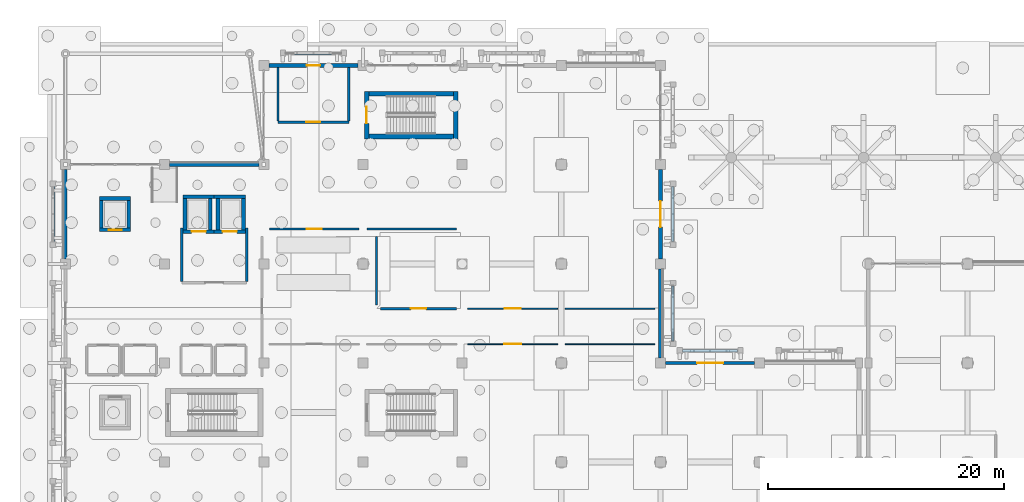
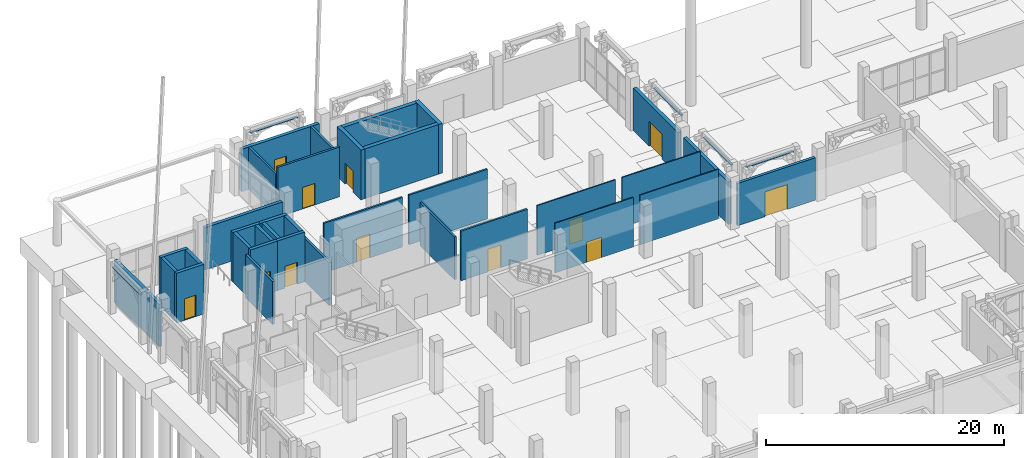
# One storey, part 67 of 98: 40 walls, 12 doors, 12 openings.
"""IFC4 building model written with IfcOpenShell, lengths in metres."""

from ifc_helpers import new_model, si_unit, direction, frame, frame_2d, origin, place, context, subcontext, project, spatial, rectangle, extrude, material, layer, layer_set, type_object, element, fill, save


model = new_model("IFC4")

# Units and contexts
model_context = context("Model", 3, precision=1e-05, world=origin(), true_north=direction((0.0, 1.0)))
body_context = subcontext(model_context, "Body", "Model", "MODEL_VIEW")
ifc_project = project(units=[si_unit("LENGTHUNIT", "METRE"), si_unit("AREAUNIT", "SQUARE_METRE"), si_unit("VOLUMEUNIT", "CUBIC_METRE"), si_unit("PLANEANGLEUNIT", "RADIAN"), si_unit("MASSUNIT", "GRAM", prefix="KILO")], contexts=[model_context])

# Site, building, storey
site_placement = place(None, origin())
site = spatial("IfcSite", under=ifc_project, at=site_placement, CompositionType="ELEMENT")
building_placement = place(site_placement, origin())
building = spatial("IfcBuilding", under=site, at=building_placement, Name="Xazarin Passage Department Store", CompositionType="ELEMENT")
storey_placement = place(building_placement, origin())
storey = spatial("IfcBuildingStorey", under=building, at=storey_placement, Name="L00", CompositionType="ELEMENT", Elevation=0.0)

# Wall, opening, door
ifc_material_1 = material(Name="Buff Baku clay brick", Category="masonry")
ifc_layer_1 = layer(ifc_material_1, 0.169921875)
ifc_layer_set_1 = layer_set([ifc_layer_1], Name="Buff Baku clay brick")
wall_type_1 = type_object("IfcWallType", Name="ARC-W-CMP170", PredefinedType="PARTITIONING", material=ifc_layer_set_1)
wall_1_placement = place(storey_placement, frame((17.27001953125, 96.14990234375, 0.0), z_axis=(0.0, 0.0, 1.0), x_axis=(1.0, 0.0, 0.0)))
wall_1 = element("IfcWall", 1, at=wall_1_placement, inside=storey, type_object=wall_type_1, Name="L00 Accessories Hall Front Wall 0049", PredefinedType="PARTITIONING", context=body_context, shape_type="SweptSolid", body=[
    extrude(rectangle(XDim=7.60986328125, YDim=0.169921875, at=frame_2d((3.804931640625, 0.0))), origin(), (0.0, 0.0, 1.0), 5.10009765625),
])
opening_1_placement = place(wall_1_placement, frame((3.1650390625, 0.0, 0.0)))
opening_1 = element("IfcOpeningElement", 2, at=opening_1_placement, cuts=wall_1, Name="Opening ID30", PredefinedType="OPENING", context=body_context, shape_type="SweptSolid", body=[
    extrude(rectangle(XDim=1.280029296875, YDim=2.4599609375, at=frame_2d((0.64013671875, 1.22998046875))), frame((0.0, 0.094970703125, 0.0), z_axis=(0.0, -1.0, 0.0), x_axis=(1.0, 0.0, 0.0)), (0.0, 0.0, 1.0), 0.18994140625),
])
ifc_material_2 = material(Name="Timber acoustic leaf", Category="wood")
door_type_1 = type_object("IfcDoorType", Name="ARC-DR-ID30", OperationType="NOTDEFINED", PredefinedType="DOOR", material=ifc_material_2)
door_1_placement = place(opening_1_placement, origin())
door_1 = element("IfcDoor", 3, at=door_1_placement, inside=storey, type_object=door_type_1, Name="DR-INT-L00-0049", OperationType="SINGLE_SWING_RIGHT", OverallHeight=2.4599609375, OverallWidth=1.280029296875, PredefinedType="DOOR", context=body_context, shape_type="SweptSolid", body=[
    extrude(rectangle(XDim=1.280029296875, YDim=2.4599609375, at=frame_2d((0.64013671875, 1.22998046875))), frame((0.0, 0.02490234375, 0.0), z_axis=(0.0, -1.0, 0.0), x_axis=(1.0, 0.0, 0.0)), (0.0, 0.0, 1.0), 0.050048828125),
])
fill(opening_1, door_1)

# Wall
wall_2_placement = place(storey_placement, frame((25.52001953125, 96.14990234375, 0.0), z_axis=(0.0, 0.0, 1.0), x_axis=(1.0, 0.0, 0.0)))
element("IfcWall", 4, at=wall_2_placement, inside=storey, type_object=wall_type_1, Name="L00 Accessories Hall Front Wall 0050", PredefinedType="PARTITIONING", context=body_context, shape_type="SweptSolid", body=[
    extrude(rectangle(XDim=7.60986328125, YDim=0.169921875, at=frame_2d((3.804931640625, 0.0))), origin(), (0.0, 0.0, 1.0), 5.10009765625),
])

# Wall, opening, door
ifc_layer_2 = layer(ifc_material_1, 0.18505859375)
ifc_layer_set_2 = layer_set([ifc_layer_2], Name="Buff Baku clay brick")
wall_type_2 = type_object("IfcWallType", Name="ARC-W-CMP185", PredefinedType="PARTITIONING", material=ifc_layer_set_2)
wall_3_placement = place(storey_placement, frame((26.673583984375, 89.39990234375, 0.0), z_axis=(0.0, 0.0, 1.0), x_axis=(1.0, 0.0, 0.0)))
wall_3 = element("IfcWall", 5, at=wall_3_placement, inside=storey, type_object=wall_type_2, Name="L00 Perfume and Jewellery Salon Front Wall 0047", PredefinedType="PARTITIONING", context=body_context, shape_type="SweptSolid", body=[
    extrude(rectangle(XDim=6.456298828125, YDim=0.18505859375, at=frame_2d((3.22802734375, 0.0))), origin(), (0.0, 0.0, 1.0), 5.10009765625),
])
opening_2_placement = place(wall_3_placement, frame((2.588134765625, 0.0, 0.0)))
opening_2 = element("IfcOpeningElement", 6, at=opening_2_placement, cuts=wall_3, Name="Opening ID29", PredefinedType="OPENING", context=body_context, shape_type="SweptSolid", body=[
    extrude(rectangle(XDim=1.280029296875, YDim=2.340087890625, at=frame_2d((0.64013671875, 1.169921875))), frame((0.0, 0.1025390625, 0.0), z_axis=(0.0, -1.0, 0.0), x_axis=(1.0, 0.0, 0.0)), (0.0, 0.0, 1.0), 0.205078125),
])
door_type_2 = type_object("IfcDoorType", Name="ARC-DR-ID29", OperationType="NOTDEFINED", PredefinedType="DOOR", material=ifc_material_2)
door_2_placement = place(opening_2_placement, origin())
door_2 = element("IfcDoor", 7, at=door_2_placement, inside=storey, type_object=door_type_2, Name="DR-INT-L00-0047", OperationType="SINGLE_SWING_LEFT", OverallHeight=2.340087890625, OverallWidth=1.280029296875, PredefinedType="DOOR", context=body_context, shape_type="SweptSolid", body=[
    extrude(rectangle(XDim=1.280029296875, YDim=2.340087890625, at=frame_2d((0.64013671875, 1.169921875))), frame((0.0, 0.02490234375, 0.0), z_axis=(0.0, -1.0, 0.0), x_axis=(1.0, 0.0, 0.0)), (0.0, 0.0, 1.0), 0.050048828125),
])
fill(opening_2, door_2)

# Wall
wall_4_placement = place(storey_placement, frame((26.353515625, 89.719970703125, 0.0), z_axis=(0.0, 0.0, 1.0), x_axis=(0.0, 1.0, 0.0)))
element("IfcWall", 8, at=wall_4_placement, inside=storey, type_object=wall_type_2, Name="L00 Perfume and Jewellery Salon Front Wall 0048", PredefinedType="PARTITIONING", context=body_context, shape_type="SweptSolid", body=[
    extrude(rectangle(XDim=5.81005859375, YDim=0.18505859375, at=frame_2d((2.905029296875, 0.0))), origin(), (0.0, 0.0, 1.0), 4.39990234375),
])

# Wall, opening, door
ifc_material_3 = material(Name="Precast concrete C40/50", Category="concrete")
ifc_layer_3 = layer(ifc_material_3, 0.260009765625)
ifc_layer_set_3 = layer_set([ifc_layer_3], Name="Precast concrete C40/50")
wall_type_3 = type_object("IfcWallType", Name="ARC-W-EXT260", PredefinedType="SOLIDWALL", material=ifc_layer_set_3)
wall_5_placement = place(storey_placement, frame((50.824951171875, 84.800048828125, 0.0), z_axis=(0.0, 0.0, 1.0), x_axis=(1.0, 0.0, 0.0)))
wall_5 = element("IfcWall", 9, at=wall_5_placement, inside=storey, type_object=wall_type_3, Name="L00 V1 Exterior Wall 008", PredefinedType="SOLIDWALL", context=body_context, shape_type="SweptSolid", body=[
    extrude(rectangle(XDim=7.550048828125, YDim=0.260009765625, at=frame_2d((3.77490234375, 0.0))), origin(), (0.0, 0.0, 1.0), 4.35009765625),
])
opening_3_placement = place(wall_5_placement, frame((2.675048828125, 0.0, 0.0)))
opening_3 = element("IfcOpeningElement", 10, at=opening_3_placement, cuts=wall_5, Name="Opening ED2", PredefinedType="OPENING", context=body_context, shape_type="SweptSolid", body=[
    extrude(rectangle(XDim=2.199951171875, YDim=2.550048828125, at=frame_2d((1.10009765625, 1.27490234375))), frame((0.0, 0.139892578125, 0.0), z_axis=(0.0, -1.0, 0.0), x_axis=(1.0, 0.0, 0.0)), (0.0, 0.0, 1.0), 0.280029296875),
])
ifc_material_4 = material(Name="Bronze anodised aluminium", Category="aluminium")
door_type_3 = type_object("IfcDoorType", Name="ARC-DR-ENT220", OperationType="NOTDEFINED", PredefinedType="DOOR", material=ifc_material_4)
door_3_placement = place(opening_3_placement, origin())
door_3 = element("IfcDoor", 11, at=door_3_placement, inside=storey, type_object=door_type_3, Name="DR-EXT-001", OperationType="DOUBLE_DOOR_SINGLE_SWING", OverallHeight=2.550048828125, OverallWidth=2.199951171875, PredefinedType="DOOR", context=body_context, shape_type="SweptSolid", body=[
    extrude(rectangle(XDim=2.199951171875, YDim=2.550048828125, at=frame_2d((1.10009765625, 1.27490234375))), frame((0.0, 0.02490234375, 0.0), z_axis=(0.0, -1.0, 0.0), x_axis=(1.0, 0.0, 0.0)), (0.0, 0.0, 1.0), 0.050048828125),
])
fill(opening_3, door_3)

# Walls
ifc_layer_4 = layer(ifc_material_3, 0.300048828125)
ifc_layer_set_4 = layer_set([ifc_layer_4], Name="Precast concrete C40/50")
wall_type_4 = type_object("IfcWallType", Name="ARC-W-EXT300", PredefinedType="SOLIDWALL", material=ifc_layer_set_4)
for number, where, z_axis, x_axis, name in (
    (12, (8.824951171875, 101.60009765625, 0.0), (0.0, 0.0, 1.0), (1.0, 0.0, 0.0), "L00 V1 Exterior Wall 010"),
    (13, (0.0, 93.625, 0.0), (0.0, 0.0, 1.0), (0.0, 1.0, 0.0), "L00 V1 Exterior Wall 017"),
):
    element("IfcWall", number, at=place(storey_placement, frame(where, z_axis=z_axis, x_axis=x_axis)), inside=storey, type_object=wall_type_4, Name=name, PredefinedType="SOLIDWALL", context=body_context, shape_type="SweptSolid", body=[
        extrude(rectangle(XDim=7.550048828125, YDim=0.300048828125, at=frame_2d((3.77490234375, 0.0))), origin(), (0.0, 0.0, 1.0), 4.35009765625),
    ])

# Wall, opening, door
ifc_layer_5 = layer(ifc_material_1, 0.320068359375)
ifc_layer_set_5 = layer_set([ifc_layer_5], Name="Buff Baku clay brick")
wall_type_5 = type_object("IfcWallType", Name="ARC-W-EXT320", PredefinedType="SOLIDWALL", material=ifc_layer_set_5)
wall_6_placement = place(storey_placement, frame((17.22509765625, 110.0, 0.0), z_axis=(0.0, 0.0, 1.0), x_axis=(1.0, 0.0, 0.0)))
wall_6 = element("IfcWall", 14, at=wall_6_placement, inside=storey, type_object=wall_type_5, Name="L00 V1 Exterior Wall 011", PredefinedType="SOLIDWALL", context=body_context, shape_type="SweptSolid", body=[
    extrude(rectangle(XDim=7.5498046875, YDim=0.320068359375, at=frame_2d((3.77490234375, 0.0))), origin(), (0.0, 0.0, 1.0), 4.35009765625),
])
opening_4_placement = place(wall_6_placement, frame((3.199951171875, 0.0, 0.0)))
opening_4 = element("IfcOpeningElement", 15, at=opening_4_placement, cuts=wall_6, Name="Opening ED7", PredefinedType="OPENING", context=body_context, shape_type="SweptSolid", body=[
    extrude(rectangle(XDim=1.14990234375, YDim=2.14990234375, at=frame_2d((0.574951171875, 1.074951171875))), frame((0.0, 0.169921875, 0.0), z_axis=(0.0, -1.0, 0.0), x_axis=(1.0, 0.0, 0.0)), (0.0, 0.0, 1.0), 0.340087890625),
])
ifc_material_5 = material(Name="Steel S355", Category="steel")
door_type_4 = type_object("IfcDoorType", Name="ARC-DR-EXT115", OperationType="NOTDEFINED", PredefinedType="DOOR", material=ifc_material_5)
door_4_placement = place(opening_4_placement, origin())
door_4 = element("IfcDoor", 16, at=door_4_placement, inside=storey, type_object=door_type_4, Name="DR-EXT-002", OperationType="SINGLE_SWING_LEFT", OverallHeight=2.14990234375, OverallWidth=1.14990234375, PredefinedType="DOOR", context=body_context, shape_type="SweptSolid", body=[
    extrude(rectangle(XDim=1.14990234375, YDim=2.14990234375, at=frame_2d((0.574951171875, 1.074951171875))), frame((0.0, 0.02490234375, 0.0), z_axis=(0.0, -1.0, 0.0), x_axis=(1.0, 0.0, 0.0)), (0.0, 0.0, 1.0), 0.050048828125),
])
fill(opening_4, door_4)

# Wall
wall_7_placement = place(storey_placement, frame((50.39990234375, 85.22509765625, 0.0), z_axis=(0.0, 0.0, 1.0), x_axis=(0.0, 1.0, 0.0)))
element("IfcWall", 17, at=wall_7_placement, inside=storey, type_object=wall_type_5, Name="L00 V1 Exterior Wall 018", PredefinedType="SOLIDWALL", context=body_context, shape_type="SweptSolid", body=[
    extrude(rectangle(XDim=7.5498046875, YDim=0.320068359375, at=frame_2d((3.77490234375, 0.0))), origin(), (0.0, 0.0, 1.0), 4.35009765625),
])

# Wall, opening, door
ifc_material_6 = material(Name="Absheron limestone cladding", Category="masonry")
ifc_layer_6 = layer(ifc_material_6, 0.340087890625)
ifc_layer_set_6 = layer_set([ifc_layer_6], Name="Absheron limestone cladding")
wall_type_6 = type_object("IfcWallType", Name="ARC-W-EXT340", PredefinedType="SOLIDWALL", material=ifc_layer_set_6)
wall_8_placement = place(storey_placement, frame((50.39990234375, 93.625, 0.0), z_axis=(0.0, 0.0, 1.0), x_axis=(0.0, 1.0, 0.0)))
wall_8 = element("IfcWall", 18, at=wall_8_placement, inside=storey, type_object=wall_type_6, Name="L00 V1 Exterior Wall 019", PredefinedType="SOLIDWALL", context=body_context, shape_type="SweptSolid", body=[
    extrude(rectangle(XDim=7.550048828125, YDim=0.340087890625, at=frame_2d((3.77490234375, 0.0))), origin(), (0.0, 0.0, 1.0), 4.35009765625),
])
opening_5_placement = place(wall_8_placement, frame((2.675048828125, 0.0, 0.0)))
opening_5 = element("IfcOpeningElement", 19, at=opening_5_placement, cuts=wall_8, Name="Opening ED2", PredefinedType="OPENING", context=body_context, shape_type="SweptSolid", body=[
    extrude(rectangle(XDim=2.199951171875, YDim=2.550048828125, at=frame_2d((1.10009765625, 1.27490234375))), frame((0.0, 0.179931640625, 0.0), z_axis=(0.0, -1.0, 0.0), x_axis=(1.0, 0.0, 0.0)), (0.0, 0.0, 1.0), 0.360107421875),
])
door_5_placement = place(opening_5_placement, origin())
door_5 = element("IfcDoor", 20, at=door_5_placement, inside=storey, type_object=door_type_3, Name="DR-EXT-006", OperationType="DOUBLE_DOOR_SINGLE_SWING", OverallHeight=2.550048828125, OverallWidth=2.199951171875, PredefinedType="DOOR", context=body_context, shape_type="SweptSolid", body=[
    extrude(rectangle(XDim=2.199951171875, YDim=2.550048828125, at=frame_2d((1.10009765625, 1.27490234375))), frame((0.0, 0.02490234375, 0.0), z_axis=(0.0, -1.0, 0.0), x_axis=(1.0, 0.0, 0.0)), (0.0, 0.0, 1.0), 0.050048828125),
])
fill(opening_5, door_5)

ifc_layer_7 = layer(ifc_material_1, 0.205078125)
ifc_layer_set_7 = layer_set([ifc_layer_7], Name="Buff Baku clay brick")
wall_type_7 = type_object("IfcWallType", Name="ARC-W-FIR205", PredefinedType="PARTITIONING", material=ifc_layer_set_7)
wall_9_placement = place(storey_placement, frame((18.0, 105.199951171875, 0.0), z_axis=(0.0, 0.0, 1.0), x_axis=(1.0, 0.0, 0.0)))
wall_9 = element("IfcWall", 21, at=wall_9_placement, inside=storey, type_object=wall_type_7, Name="L00 Fire Command Centre South Wall 0004", PredefinedType="PARTITIONING", context=body_context, shape_type="SweptSolid", body=[
    extrude(rectangle(XDim=6.0, YDim=0.205078125, at=frame_2d((3.0, 0.0))), origin(), (0.0, 0.0, 1.0), 5.10009765625),
])
opening_6_placement = place(wall_9_placement, frame((2.39990234375, 0.0, 0.0)))
opening_6 = element("IfcOpeningElement", 22, at=opening_6_placement, cuts=wall_9, Name="Opening FD4", PredefinedType="OPENING", context=body_context, shape_type="SweptSolid", body=[
    extrude(rectangle(XDim=1.199951171875, YDim=2.199951171875, at=frame_2d((0.60009765625, 1.10009765625))), frame((0.0, 0.112548828125, 0.0), z_axis=(0.0, -1.0, 0.0), x_axis=(1.0, 0.0, 0.0)), (0.0, 0.0, 1.0), 0.22509765625),
])
door_type_5 = type_object("IfcDoorType", Name="ARC-DR-FCC120", OperationType="NOTDEFINED", PredefinedType="DOOR", material=ifc_material_5)
door_6_placement = place(opening_6_placement, origin())
door_6 = element("IfcDoor", 23, at=door_6_placement, inside=storey, type_object=door_type_5, Name="DR-INT-L00-0004", OperationType="SINGLE_SWING_LEFT", OverallHeight=2.199951171875, OverallWidth=1.199951171875, PredefinedType="DOOR", context=body_context, shape_type="SweptSolid", body=[
    extrude(rectangle(XDim=1.199951171875, YDim=2.199951171875, at=frame_2d((0.60009765625, 1.10009765625))), frame((0.0, 0.02490234375, 0.0), z_axis=(0.0, -1.0, 0.0), x_axis=(1.0, 0.0, 0.0)), (0.0, 0.0, 1.0), 0.050048828125),
])
fill(opening_6, door_6)

# Walls
for number, where, z_axis, x_axis, name in (
    (24, (18.0, 105.300048828125, 0.0), (0.0, 0.0, 1.0), (0.0, 1.0, 0.0), "L00 Fire Command Centre West Wall 0005"),
    (25, (24.0, 105.300048828125, 0.0), (0.0, 0.0, 1.0), (0.0, 1.0, 0.0), "L00 Fire Command Centre East Wall 0006"),
):
    element("IfcWall", number, at=place(storey_placement, frame(where, z_axis=z_axis, x_axis=x_axis)), inside=storey, type_object=wall_type_7, Name=name, PredefinedType="PARTITIONING", context=body_context, shape_type="SweptSolid", body=[
        extrude(rectangle(XDim=4.5400390625, YDim=0.205078125, at=frame_2d((2.27001953125, 0.0))), origin(), (0.0, 0.0, 1.0), 4.35009765625),
    ])
ifc_material_7 = material(Name="Concrete C35/45", Category="concrete")
ifc_layer_8 = layer(ifc_material_7, 0.22509765625)
ifc_layer_set_8 = layer_set([ifc_layer_8], Name="Concrete C35/45")
wall_type_8 = type_object("IfcWallType", Name="ARC-W-FIR225", PredefinedType="PARTITIONING", material=ifc_layer_set_8)
for number, where, z_axis, x_axis, name in (
    (26, (9.85009765625, 91.7099609375, 0.0), (0.0, 0.0, 1.0), (0.0, 1.0, 0.0), "L00 Firefighting Lift Lobby West Wall 0002"),
    (27, (15.35009765625, 91.7099609375, 0.0), (0.0, 0.0, 1.0), (0.0, 1.0, 0.0), "L00 Firefighting Lift Lobby East Wall 0003"),
):
    element("IfcWall", number, at=place(storey_placement, frame(where, z_axis=z_axis, x_axis=x_axis)), inside=storey, type_object=wall_type_8, Name=name, PredefinedType="PARTITIONING", context=body_context, shape_type="SweptSolid", body=[
        extrude(rectangle(XDim=4.530029296875, YDim=0.22509765625, at=frame_2d((2.26513671875, 0.0))), origin(), (0.0, 0.0, 1.0), 4.39990234375),
    ])
ifc_layer_9 = layer(ifc_material_3, 0.2099609375)
ifc_layer_set_9 = layer_set([ifc_layer_9], Name="Precast concrete C40/50")
wall_type_9 = type_object("IfcWallType", Name="ARC-W-PAR210", PredefinedType="PARAPET", material=ifc_layer_set_9)
wall_10_placement = place(storey_placement, frame((18.669921875, 111.050048828125, 4.780029296875), z_axis=(0.0, 0.0, 1.0), x_axis=(1.0, 0.0, 0.0)))
element("IfcWall", 28, at=wall_10_placement, inside=storey, type_object=wall_type_9, Name="L00 V1 Pierced-Arch Spandrel Lintel 0001", PredefinedType="PARAPET", context=body_context, shape_type="SweptSolid", body=[
    extrude(rectangle(XDim=4.66015625, YDim=0.2099609375, at=frame_2d((2.330078125, 0.0))), origin(), (0.0, 0.0, 1.0), 0.119873046875),
])
for number, where, z_axis, x_axis, name in (
    (29, (52.27001953125, 85.85009765625, 4.780029296875), (0.0, 0.0, 1.0), (1.0, 0.0, 0.0), "L00 V1 Pierced-Arch Spandrel Lintel 0027"),
    (30, (-1.050048828125, 95.070068359375, 4.780029296875), (0.0, 0.0, 1.0), (0.0, 1.0, 0.0), "L00 V1 Pierced-Arch Spandrel Lintel 0063"),
):
    element("IfcWall", number, at=place(storey_placement, frame(where, z_axis=z_axis, x_axis=x_axis)), inside=storey, type_object=wall_type_9, Name=name, PredefinedType="PARAPET", context=body_context, shape_type="SweptSolid", body=[
        extrude(rectangle(XDim=4.659912109375, YDim=0.2099609375, at=frame_2d((2.330078125, 0.0))), origin(), (0.0, 0.0, 1.0), 0.119873046875),
    ])
wall_11_placement = place(storey_placement, frame((51.449951171875, 86.669921875, 4.780029296875), z_axis=(0.0, 0.0, 1.0), x_axis=(0.0, 1.0, 0.0)))
element("IfcWall", 31, at=wall_11_placement, inside=storey, type_object=wall_type_9, Name="L00 V1 Pierced-Arch Spandrel Lintel 0071", PredefinedType="PARAPET", context=body_context, shape_type="SweptSolid", body=[
    extrude(rectangle(XDim=4.66015625, YDim=0.2099609375, at=frame_2d((2.330078125, 0.0))), origin(), (0.0, 0.0, 1.0), 0.119873046875),
])
wall_12_placement = place(storey_placement, frame((51.449951171875, 95.070068359375, 4.780029296875), z_axis=(0.0, 0.0, 1.0), x_axis=(0.0, 1.0, 0.0)))
element("IfcWall", 32, at=wall_12_placement, inside=storey, type_object=wall_type_9, Name="L00 V1 Pierced-Arch Spandrel Lintel 0075", PredefinedType="PARAPET", context=body_context, shape_type="SweptSolid", body=[
    extrude(rectangle(XDim=4.659912109375, YDim=0.2099609375, at=frame_2d((2.330078125, 0.0))), origin(), (0.0, 0.0, 1.0), 0.119873046875),
])

# Wall, opening, door
ifc_material_8 = material(Name="Gypsum board acoustic partition")
ifc_layer_10 = layer(ifc_material_8, 0.094970703125)
ifc_layer_set_10 = layer_set([ifc_layer_10], Name="Gypsum board acoustic partition")
wall_type_10 = type_object("IfcWallType", Name="ARC-W-PRT095", PredefinedType="PARTITIONING", material=ifc_layer_set_10)
wall_13_placement = place(storey_placement, frame((34.070068359375, 86.39990234375, 0.0), z_axis=(0.0, 0.0, 1.0), x_axis=(1.0, 0.0, 0.0)))
wall_13 = element("IfcWall", 33, at=wall_13_placement, inside=storey, type_object=wall_type_10, Name="L00 Cosmetics Hall Front Wall 0053", PredefinedType="PARTITIONING", context=body_context, shape_type="SweptSolid", body=[
    extrude(rectangle(XDim=7.60986328125, YDim=0.094970703125, at=frame_2d((3.804931640625, 0.0))), origin(), (0.0, 0.0, 1.0), 5.10009765625),
])
opening_7_placement = place(wall_13_placement, frame((3.0849609375, 0.0, 0.0)))
opening_7 = element("IfcOpeningElement", 34, at=opening_7_placement, cuts=wall_13, Name="Opening ID35", PredefinedType="OPENING", context=body_context, shape_type="SweptSolid", body=[
    extrude(rectangle(XDim=1.43994140625, YDim=2.10009765625, at=frame_2d((0.719970703125, 1.050048828125))), frame((0.0, 0.057373046875, 0.0), z_axis=(0.0, -1.0, 0.0), x_axis=(1.0, 0.0, 0.0)), (0.0, 0.0, 1.0), 0.114990234375),
])
door_type_6 = type_object("IfcDoorType", Name="ARC-DR-ID35", OperationType="NOTDEFINED", PredefinedType="DOOR", material=ifc_material_4)
door_7_placement = place(opening_7_placement, origin())
door_7 = element("IfcDoor", 35, at=door_7_placement, inside=storey, type_object=door_type_6, Name="DR-INT-L00-0053", OperationType="SINGLE_SWING_RIGHT", OverallHeight=2.10009765625, OverallWidth=1.43994140625, PredefinedType="DOOR", context=body_context, shape_type="SweptSolid", body=[
    extrude(rectangle(XDim=1.43994140625, YDim=2.10009765625, at=frame_2d((0.719970703125, 1.050048828125))), frame((0.0, 0.02490234375, 0.0), z_axis=(0.0, -1.0, 0.0), x_axis=(1.0, 0.0, 0.0)), (0.0, 0.0, 1.0), 0.050048828125),
])
fill(opening_7, door_7)

# Wall
wall_14_placement = place(storey_placement, frame((42.320068359375, 86.39990234375, 0.0), z_axis=(0.0, 0.0, 1.0), x_axis=(1.0, 0.0, 0.0)))
element("IfcWall", 36, at=wall_14_placement, inside=storey, type_object=wall_type_10, Name="L00 Cosmetics Hall Front Wall 0054", PredefinedType="PARTITIONING", context=body_context, shape_type="SweptSolid", body=[
    extrude(rectangle(XDim=7.60986328125, YDim=0.094970703125, at=frame_2d((3.804931640625, 0.0))), origin(), (0.0, 0.0, 1.0), 5.10009765625),
])

# Wall, opening, door
ifc_layer_11 = layer(ifc_material_8, 0.110107421875)
ifc_layer_set_11 = layer_set([ifc_layer_11], Name="Gypsum board acoustic partition")
wall_type_11 = type_object("IfcWallType", Name="ARC-W-PRT110", PredefinedType="PARTITIONING", material=ifc_layer_set_11)
wall_15_placement = place(storey_placement, frame((34.070068359375, 89.39990234375, 0.0), z_axis=(0.0, 0.0, 1.0), x_axis=(1.0, 0.0, 0.0)))
wall_15 = element("IfcWall", 37, at=wall_15_placement, inside=storey, type_object=wall_type_11, Name="L00 Cosmetics Hall Front Wall 0051", PredefinedType="PARTITIONING", context=body_context, shape_type="SweptSolid", body=[
    extrude(rectangle(XDim=7.60986328125, YDim=0.110107421875, at=frame_2d((3.804931640625, 0.0))), origin(), (0.0, 0.0, 1.0), 5.10009765625),
])
opening_8_placement = place(wall_15_placement, frame((3.125, 0.0, 0.0)))
opening_8 = element("IfcOpeningElement", 38, at=opening_8_placement, cuts=wall_15, Name="Opening ID34", PredefinedType="OPENING", context=body_context, shape_type="SweptSolid", body=[
    extrude(rectangle(XDim=1.360107421875, YDim=2.4599609375, at=frame_2d((0.68017578125, 1.22998046875))), frame((0.0, 0.06494140625, 0.0), z_axis=(0.0, -1.0, 0.0), x_axis=(1.0, 0.0, 0.0)), (0.0, 0.0, 1.0), 0.130126953125),
])
door_type_7 = type_object("IfcDoorType", Name="ARC-DR-ID34", OperationType="NOTDEFINED", PredefinedType="DOOR", material=ifc_material_2)
door_8_placement = place(opening_8_placement, origin())
door_8 = element("IfcDoor", 39, at=door_8_placement, inside=storey, type_object=door_type_7, Name="DR-INT-L00-0051", OperationType="SINGLE_SWING_LEFT", OverallHeight=2.4599609375, OverallWidth=1.360107421875, PredefinedType="DOOR", context=body_context, shape_type="SweptSolid", body=[
    extrude(rectangle(XDim=1.360107421875, YDim=2.4599609375, at=frame_2d((0.68017578125, 1.22998046875))), frame((0.0, 0.02490234375, 0.0), z_axis=(0.0, -1.0, 0.0), x_axis=(1.0, 0.0, 0.0)), (0.0, 0.0, 1.0), 0.050048828125),
])
fill(opening_8, door_8)

# Wall
wall_16_placement = place(storey_placement, frame((42.320068359375, 89.39990234375, 0.0), z_axis=(0.0, 0.0, 1.0), x_axis=(1.0, 0.0, 0.0)))
element("IfcWall", 40, at=wall_16_placement, inside=storey, type_object=wall_type_11, Name="L00 Cosmetics Hall Front Wall 0052", PredefinedType="PARTITIONING", context=body_context, shape_type="SweptSolid", body=[
    extrude(rectangle(XDim=7.60986328125, YDim=0.110107421875, at=frame_2d((3.804931640625, 0.0))), origin(), (0.0, 0.0, 1.0), 5.10009765625),
])

# Wall, opening, door
ifc_material_9 = material(Name="Concrete C40/50", Category="concrete")
ifc_layer_12 = layer(ifc_material_9, 0.31005859375)
ifc_layer_set_12 = layer_set([ifc_layer_12], Name="Concrete C40/50")
wall_type_12 = type_object("IfcWallType", Name="STR-W-LFT310", PredefinedType="SHEAR", material=ifc_layer_set_12)
wall_17_placement = place(storey_placement, frame((9.969970703125, 95.925048828125, 0.0), z_axis=(0.0, 0.0, 1.0), x_axis=(1.0, 0.0, 0.0)))
wall_17 = element("IfcWall", 41, at=wall_17_placement, inside=storey, type_object=wall_type_12, Name="L00 Lift FL1 Shaft Wall South", PredefinedType="SHEAR", context=body_context, shape_type="SweptSolid", body=[
    extrude(rectangle(XDim=2.630126953125, YDim=0.31005859375, at=frame_2d((1.31494140625, 0.0))), origin(), (0.0, 0.0, 1.0), 5.10009765625),
])
opening_9_placement = place(wall_17_placement, frame((0.715087890625, 0.0, 0.0)))
opening_9 = element("IfcOpeningElement", 42, at=opening_9_placement, cuts=wall_17, Name="Opening LD-FL1-L00", PredefinedType="OPENING", context=body_context, shape_type="SweptSolid", body=[
    extrude(rectangle(XDim=1.199951171875, YDim=2.25, at=frame_2d((0.60009765625, 1.125))), frame((0.0, 0.1650390625, 0.0), z_axis=(0.0, -1.0, 0.0), x_axis=(1.0, 0.0, 0.0)), (0.0, 0.0, 1.0), 0.330078125),
])
door_type_8 = type_object("IfcDoorType", Name="ARC-DR-LD120", OperationType="NOTDEFINED", PredefinedType="DOOR", material=ifc_material_5)
door_9_placement = place(opening_9_placement, origin())
door_9 = element("IfcDoor", 43, at=door_9_placement, inside=storey, type_object=door_type_8, Name="DR-LD-FL1-L00", OperationType="SLIDING_TO_LEFT", OverallHeight=2.25, OverallWidth=1.199951171875, PredefinedType="DOOR", context=body_context, shape_type="SweptSolid", body=[
    extrude(rectangle(XDim=1.199951171875, YDim=2.25, at=frame_2d((0.60009765625, 1.125))), frame((0.0, 0.02490234375, 0.0), z_axis=(0.0, -1.0, 0.0), x_axis=(1.0, 0.0, 0.0)), (0.0, 0.0, 1.0), 0.050048828125),
])
fill(opening_9, door_9)

# Walls
wall_18_placement = place(storey_placement, frame((9.969970703125, 98.875, 0.0), z_axis=(0.0, 0.0, 1.0), x_axis=(1.0, 0.0, 0.0)))
element("IfcWall", 44, at=wall_18_placement, inside=storey, type_object=wall_type_12, Name="L00 Lift FL1 Shaft Wall North", PredefinedType="SHEAR", context=body_context, shape_type="SweptSolid", body=[
    extrude(rectangle(XDim=2.630126953125, YDim=0.31005859375, at=frame_2d((1.31494140625, 0.0))), origin(), (0.0, 0.0, 1.0), 5.10009765625),
])
for number, where, z_axis, x_axis, name in (
    (45, (10.125, 96.080078125, 0.0), (0.0, 0.0, 1.0), (0.0, 1.0, 0.0), "L00 Lift FL1 Shaft Wall West"),
    (46, (12.27490234375, 96.080078125, 0.0), (0.0, 0.0, 1.0), (0.0, 1.0, 0.0), "L00 Lift FL1 Shaft Wall East"),
):
    element("IfcWall", number, at=place(storey_placement, frame(where, z_axis=z_axis, x_axis=x_axis)), inside=storey, type_object=wall_type_12, Name=name, PredefinedType="SHEAR", context=body_context, shape_type="SweptSolid", body=[
        extrude(rectangle(XDim=2.639892578125, YDim=0.31005859375, at=frame_2d((1.31982421875, 0.0))), origin(), (0.0, 0.0, 1.0), 5.10009765625),
    ])

# Wall, opening, door
wall_19_placement = place(storey_placement, frame((12.60009765625, 95.925048828125, 0.0), z_axis=(0.0, 0.0, 1.0), x_axis=(1.0, 0.0, 0.0)))
wall_19 = element("IfcWall", 47, at=wall_19_placement, inside=storey, type_object=wall_type_12, Name="L00 Lift FL2 Shaft Wall South", PredefinedType="SHEAR", context=body_context, shape_type="SweptSolid", body=[
    extrude(rectangle(XDim=2.6298828125, YDim=0.31005859375, at=frame_2d((1.31494140625, 0.0))), origin(), (0.0, 0.0, 1.0), 5.10009765625),
])
opening_10_placement = place(wall_19_placement, frame((0.715087890625, 0.0, 0.0)))
opening_10 = element("IfcOpeningElement", 48, at=opening_10_placement, cuts=wall_19, Name="Opening LD-FL2-L00", PredefinedType="OPENING", context=body_context, shape_type="SweptSolid", body=[
    extrude(rectangle(XDim=1.199951171875, YDim=2.25, at=frame_2d((0.60009765625, 1.125))), frame((0.0, 0.1650390625, 0.0), z_axis=(0.0, -1.0, 0.0), x_axis=(1.0, 0.0, 0.0)), (0.0, 0.0, 1.0), 0.330078125),
])
door_10_placement = place(opening_10_placement, origin())
door_10 = element("IfcDoor", 49, at=door_10_placement, inside=storey, type_object=door_type_8, Name="DR-LD-FL2-L00", OperationType="SLIDING_TO_LEFT", OverallHeight=2.25, OverallWidth=1.199951171875, PredefinedType="DOOR", context=body_context, shape_type="SweptSolid", body=[
    extrude(rectangle(XDim=1.199951171875, YDim=2.25, at=frame_2d((0.60009765625, 1.125))), frame((0.0, 0.02490234375, 0.0), z_axis=(0.0, -1.0, 0.0), x_axis=(1.0, 0.0, 0.0)), (0.0, 0.0, 1.0), 0.050048828125),
])
fill(opening_10, door_10)

# Walls
wall_20_placement = place(storey_placement, frame((12.60009765625, 98.875, 0.0), z_axis=(0.0, 0.0, 1.0), x_axis=(1.0, 0.0, 0.0)))
element("IfcWall", 50, at=wall_20_placement, inside=storey, type_object=wall_type_12, Name="L00 Lift FL2 Shaft Wall North", PredefinedType="SHEAR", context=body_context, shape_type="SweptSolid", body=[
    extrude(rectangle(XDim=2.6298828125, YDim=0.31005859375, at=frame_2d((1.31494140625, 0.0))), origin(), (0.0, 0.0, 1.0), 5.10009765625),
])
for number, where, z_axis, x_axis, name in (
    (51, (12.925048828125, 96.080078125, 0.0), (0.0, 0.0, 1.0), (0.0, 1.0, 0.0), "L00 Lift FL2 Shaft Wall West"),
    (52, (15.074951171875, 96.080078125, 0.0), (0.0, 0.0, 1.0), (0.0, 1.0, 0.0), "L00 Lift FL2 Shaft Wall East"),
):
    element("IfcWall", number, at=place(storey_placement, frame(where, z_axis=z_axis, x_axis=x_axis)), inside=storey, type_object=wall_type_12, Name=name, PredefinedType="SHEAR", context=body_context, shape_type="SweptSolid", body=[
        extrude(rectangle(XDim=2.639892578125, YDim=0.31005859375, at=frame_2d((1.31982421875, 0.0))), origin(), (0.0, 0.0, 1.0), 5.10009765625),
    ])

# Wall, opening, door
wall_21_placement = place(storey_placement, frame((2.8701171875, 96.074951171875, 0.0), z_axis=(0.0, 0.0, 1.0), x_axis=(1.0, 0.0, 0.0)))
wall_21 = element("IfcWall", 53, at=wall_21_placement, inside=storey, type_object=wall_type_12, Name="L00 Lift PL2 Shaft Wall South", PredefinedType="SHEAR", context=body_context, shape_type="SweptSolid", body=[
    extrude(rectangle(XDim=2.659912109375, YDim=0.31005859375, at=frame_2d((1.330078125, 0.0))), origin(), (0.0, 0.0, 1.0), 5.10009765625),
])
opening_11_placement = place(wall_21_placement, frame((0.780029296875, 0.0, 0.0)))
opening_11 = element("IfcOpeningElement", 54, at=opening_11_placement, cuts=wall_21, Name="Opening LD-PL2-L00", PredefinedType="OPENING", context=body_context, shape_type="SweptSolid", body=[
    extrude(rectangle(XDim=1.10009765625, YDim=2.199951171875, at=frame_2d((0.550048828125, 1.10009765625))), frame((0.0, 0.1650390625, 0.0), z_axis=(0.0, -1.0, 0.0), x_axis=(1.0, 0.0, 0.0)), (0.0, 0.0, 1.0), 0.330078125),
])
door_type_9 = type_object("IfcDoorType", Name="ARC-DR-LD110", OperationType="NOTDEFINED", PredefinedType="DOOR", material=ifc_material_5)
door_11_placement = place(opening_11_placement, origin())
door_11 = element("IfcDoor", 55, at=door_11_placement, inside=storey, type_object=door_type_9, Name="DR-LD-PL2-L00", OperationType="SLIDING_TO_LEFT", OverallHeight=2.199951171875, OverallWidth=1.10009765625, PredefinedType="DOOR", context=body_context, shape_type="SweptSolid", body=[
    extrude(rectangle(XDim=1.10009765625, YDim=2.199951171875, at=frame_2d((0.550048828125, 1.10009765625))), frame((0.0, 0.02490234375, 0.0), z_axis=(0.0, -1.0, 0.0), x_axis=(1.0, 0.0, 0.0)), (0.0, 0.0, 1.0), 0.050048828125),
])
fill(opening_11, door_11)

# Walls
wall_22_placement = place(storey_placement, frame((2.8701171875, 98.72509765625, 0.0), z_axis=(0.0, 0.0, 1.0), x_axis=(1.0, 0.0, 0.0)))
element("IfcWall", 56, at=wall_22_placement, inside=storey, type_object=wall_type_12, Name="L00 Lift PL2 Shaft Wall North", PredefinedType="SHEAR", context=body_context, shape_type="SweptSolid", body=[
    extrude(rectangle(XDim=2.659912109375, YDim=0.31005859375, at=frame_2d((1.330078125, 0.0))), origin(), (0.0, 0.0, 1.0), 5.10009765625),
])
for number, where, z_axis, x_axis, name in (
    (57, (3.02490234375, 96.22998046875, 0.0), (0.0, 0.0, 1.0), (0.0, 1.0, 0.0), "L00 Lift PL2 Shaft Wall West"),
    (58, (5.375, 96.22998046875, 0.0), (0.0, 0.0, 1.0), (0.0, 1.0, 0.0), "L00 Lift PL2 Shaft Wall East"),
):
    element("IfcWall", number, at=place(storey_placement, frame(where, z_axis=z_axis, x_axis=x_axis)), inside=storey, type_object=wall_type_12, Name=name, PredefinedType="SHEAR", context=body_context, shape_type="SweptSolid", body=[
        extrude(rectangle(XDim=2.340087890625, YDim=0.31005859375, at=frame_2d((1.169921875, 0.0))), origin(), (0.0, 0.0, 1.0), 5.10009765625),
    ])

# Wall, opening, door
ifc_layer_13 = layer(ifc_material_9, 0.389892578125)
ifc_layer_set_13 = layer_set([ifc_layer_13], Name="Concrete C40/50")
wall_type_13 = type_object("IfcWallType", Name="STR-W-SHR390", PredefinedType="SHEAR", material=ifc_layer_set_13)
wall_23_placement = place(storey_placement, frame((25.5048828125, 103.7900390625, 0.0), z_axis=(0.0, 0.0, 1.0), x_axis=(0.0, 1.0, 0.0)))
wall_23 = element("IfcWall", 59, at=wall_23_placement, inside=storey, type_object=wall_type_13, Name="L00 Core K2 West Shear Wall", PredefinedType="SHEAR", context=body_context, shape_type="SweptSolid", body=[
    extrude(rectangle(XDim=4.02001953125, YDim=0.389892578125, at=frame_2d((2.010009765625, 0.0))), origin(), (0.0, 0.0, 1.0), 5.10009765625),
])
opening_12_placement = place(wall_23_placement, frame((1.31005859375, 0.0, 0.0)))
opening_12 = element("IfcOpeningElement", 60, at=opening_12_placement, cuts=wall_23, Name="Opening FD2", PredefinedType="OPENING", context=body_context, shape_type="SweptSolid", body=[
    extrude(rectangle(XDim=1.39990234375, YDim=2.14990234375, at=frame_2d((0.699951171875, 1.074951171875))), frame((0.0, 0.204833984375, 0.0), z_axis=(0.0, -1.0, 0.0), x_axis=(1.0, 0.0, 0.0)), (0.0, 0.0, 1.0), 0.409912109375),
])
door_type_10 = type_object("IfcDoorType", Name="ARC-DR-STR140", OperationType="NOTDEFINED", PredefinedType="DOOR", material=ifc_material_5)
door_12_placement = place(opening_12_placement, origin())
door_12 = element("IfcDoor", 61, at=door_12_placement, inside=storey, type_object=door_type_10, Name="DR-STR-K2-L00", OperationType="SINGLE_SWING_RIGHT", OverallHeight=2.14990234375, OverallWidth=1.39990234375, PredefinedType="DOOR", context=body_context, shape_type="SweptSolid", body=[
    extrude(rectangle(XDim=1.39990234375, YDim=2.14990234375, at=frame_2d((0.699951171875, 1.074951171875))), frame((0.0, 0.02490234375, 0.0), z_axis=(0.0, -1.0, 0.0), x_axis=(1.0, 0.0, 0.0)), (0.0, 0.0, 1.0), 0.050048828125),
])
fill(opening_12, door_12)

# Walls
wall_24_placement = place(storey_placement, frame((33.044921875, 103.7900390625, 0.0), z_axis=(0.0, 0.0, 1.0), x_axis=(0.0, 1.0, 0.0)))
element("IfcWall", 62, at=wall_24_placement, inside=storey, type_object=wall_type_13, Name="L00 Core K2 East Shear Wall", PredefinedType="SHEAR", context=body_context, shape_type="SweptSolid", body=[
    extrude(rectangle(XDim=4.02001953125, YDim=0.389892578125, at=frame_2d((2.010009765625, 0.0))), origin(), (0.0, 0.0, 1.0), 5.10009765625),
])
for number, where, z_axis, x_axis, name in (
    (63, (25.699951171875, 103.985107421875, 0.0), (0.0, 0.0, 1.0), (1.0, 0.0, 0.0), "L00 Core K2 South Shear Wall"),
    (64, (25.699951171875, 107.614990234375, 0.0), (0.0, 0.0, 1.0), (1.0, 0.0, 0.0), "L00 Core K2 North Shear Wall"),
):
    element("IfcWall", number, at=place(storey_placement, frame(where, z_axis=z_axis, x_axis=x_axis)), inside=storey, type_object=wall_type_13, Name=name, PredefinedType="SHEAR", context=body_context, shape_type="SweptSolid", body=[
        extrude(rectangle(XDim=7.150146484375, YDim=0.389892578125, at=frame_2d((3.5751953125, 0.0))), origin(), (0.0, 0.0, 1.0), 5.10009765625),
    ])

save(model, "model.ifc")
